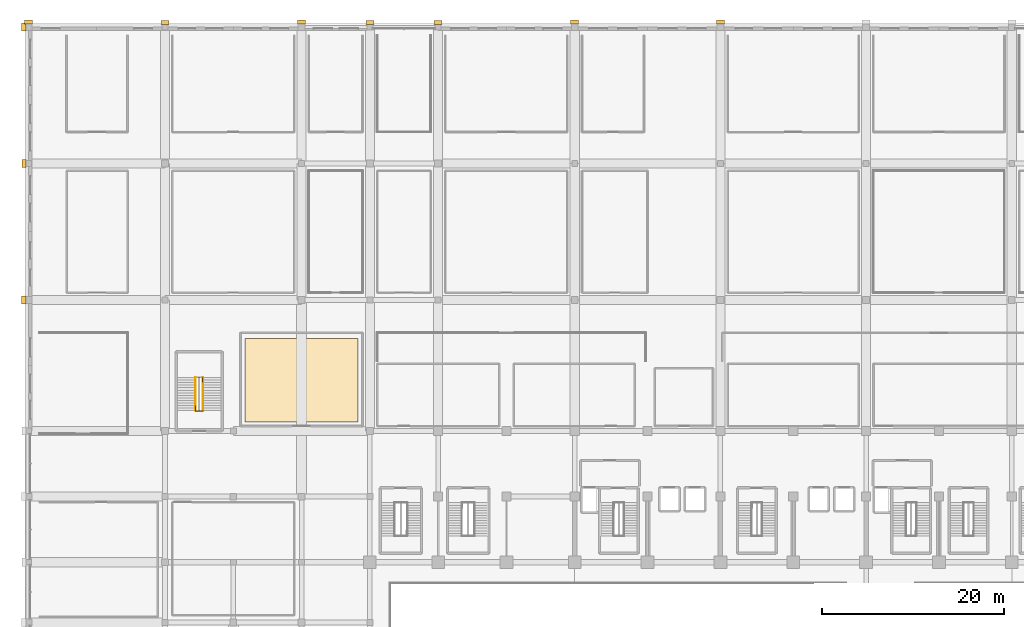
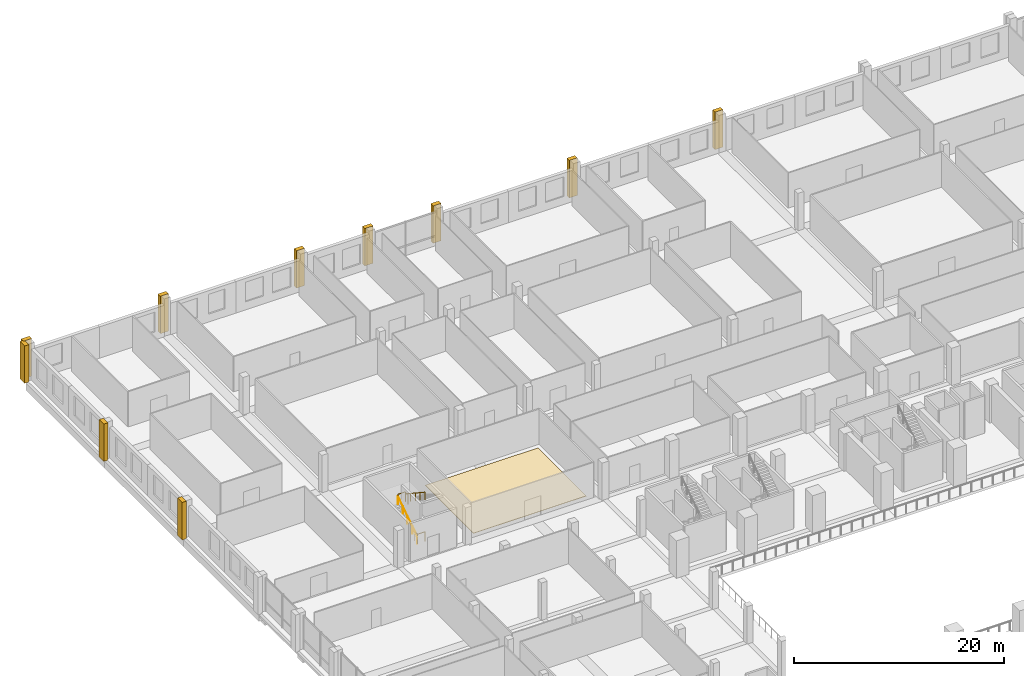
# One storey, part 60 of 64: 11 coverings, 4 railings.
"""IFC4 building model written with IfcOpenShell, lengths in metres."""

from ifc_helpers import new_model, si_unit, direction, frame, origin, origin_2d, place, context, subcontext, project, spatial, rectangle, circle, extrude, material, layer, layer_set, type_object, element, save


model = new_model("IFC4")

# Units and contexts
model_context = context("Model", 3, precision=1e-05, world=origin(), true_north=direction((0.0, 1.0)))
body_context = subcontext(model_context, "Body", "Model", "MODEL_VIEW")
ifc_project = project(units=[si_unit("LENGTHUNIT", "METRE"), si_unit("AREAUNIT", "SQUARE_METRE"), si_unit("VOLUMEUNIT", "CUBIC_METRE"), si_unit("PLANEANGLEUNIT", "RADIAN"), si_unit("MASSUNIT", "GRAM", prefix="KILO")], contexts=[model_context])

# Site, building, storey
site_placement = place(None, origin())
site = spatial("IfcSite", under=ifc_project, at=site_placement, CompositionType="ELEMENT")
building_placement = place(site_placement, origin())
building = spatial("IfcBuilding", under=site, at=building_placement, Name="Akrevak Sports Hall", CompositionType="ELEMENT")
storey_placement = place(building_placement, frame((0.0, 0.0, 4.60009765625)))
storey = spatial("IfcBuildingStorey", under=building, at=storey_placement, Name="L01", CompositionType="ELEMENT", Elevation=4.60009765625)

# Coverings
ifc_material_1 = material(Name="Sprung Hard Maple Sports Flooring", Category="wood")
ifc_layer_1 = layer(ifc_material_1, 0.044921875, Name="Sprung Hard Maple Sports Flooring")
ifc_layer_set_1 = layer_set([ifc_layer_1], Name="Sprung Hard Maple Sports Flooring")
covering_type_1 = type_object("IfcCoveringType", Name="ARC-COV-FLR-MAPLE", PredefinedType="FLOORING", material=ifc_layer_set_1)
covering_placement = place(storey_placement, frame((30.0, 75.199951171875, 0.0), z_axis=(0.0, 0.0, 1.0), x_axis=(1.0, 0.0, 0.0)))
element("IfcCovering", 1, at=covering_placement, inside=storey, type_object=covering_type_1, Name="Dance Studio 1 Sprung Flooring", PredefinedType="FLOORING", context=body_context, shape_type="SweptSolid", body=[
    extrude(rectangle(XDim=12.39990234375, YDim=9.199951171875, at=origin_2d()), origin(), (0.0, 0.0, 1.0), 0.044921875),
])
ifc_material_2 = material(Name="Limestone Ashlar", Category="stone")
ifc_layer_2 = layer(ifc_material_2, 0.47998046875, Name="Limestone Ashlar")
ifc_layer_set_2 = layer_set([ifc_layer_2], Name="Limestone Ashlar")
covering_type_2 = type_object("IfcCoveringType", Name="ARC-COV-PIL-LIM", PredefinedType="CLADDING", material=ifc_layer_set_2)
for number, where, z_axis, x_axis, name in (
    (2, (0.0, 114.52490234375, -0.000244140625), (0.0, 0.0, 1.0), (-1.0, 0.0, 0.0), "Giant-Order Limestone Pilaster L01-03-26"),
    (3, (15.0, 114.47509765625, -0.000244140625), (0.0, 0.0, 1.0), (-1.0, 0.0, 0.0), "Giant-Order Limestone Pilaster L01-03-27"),
    (4, (30.0, 114.52490234375, -0.000244140625), (0.0, 0.0, 1.0), (-1.0, 0.0, 0.0), "Giant-Order Limestone Pilaster L01-03-28"),
    (5, (37.5, 114.47509765625, -0.000244140625), (0.0, 0.0, 1.0), (-1.0, 0.0, 0.0), "Giant-Order Limestone Pilaster L01-03-29"),
    (6, (45.0, 114.47509765625, -0.000244140625), (0.0, 0.0, 1.0), (-1.0, 0.0, 0.0), "Giant-Order Limestone Pilaster L01-03-30"),
    (7, (60.0, 114.52490234375, -0.000244140625), (0.0, 0.0, 1.0), (-1.0, 0.0, 0.0), "Giant-Order Limestone Pilaster L01-03-31"),
    (8, (76.0, 114.52490234375, -0.000244140625), (0.0, 0.0, 1.0), (-1.0, 0.0, 0.0), "Giant-Order Limestone Pilaster L01-03-32"),
    (9, (-0.52490234375, 84.0, -0.000244140625), (0.0, 0.0, 1.0), (0.0, -1.0, 0.0), "Giant-Order Limestone Pilaster L01-04-48"),
    (10, (-0.47509765625, 99.0, -0.000244140625), (0.0, 0.0, 1.0), (0.0, -1.0, 0.0), "Giant-Order Limestone Pilaster L01-04-49"),
    (11, (-0.52490234375, 114.0, -0.000244140625), (0.0, 0.0, 1.0), (0.0, -1.0, 0.0), "Giant-Order Limestone Pilaster L01-04-49"),
):
    element("IfcCovering", number, at=place(storey_placement, frame(where, z_axis=z_axis, x_axis=x_axis)), inside=storey, type_object=covering_type_2, Name=name, PredefinedType="CLADDING", context=body_context, shape_type="SweptSolid", body=[
        extrude(rectangle(XDim=0.8798828125, YDim=0.4599609375, at=origin_2d()), origin(), (0.0, 0.0, 1.0), 4.35009765625),
    ])

# Railings
ifc_material_3 = material(Name="Painted Architectural Balustrade Steel", Category="steel")
ifc_layer_3 = layer(ifc_material_3, 0.06005859375, Name="Painted Architectural Balustrade Steel")
ifc_layer_set_3 = layer_set([ifc_layer_3], Name="Painted Architectural Balustrade Steel")
railing_type_1 = type_object("IfcRailingType", Name="ARC-RL-GRD-1120", PredefinedType="GUARDRAIL", material=ifc_layer_set_3)
railing_1_placement = place(storey_placement, frame((18.360107421875, 72.3701171875, 0.0)))
element("IfcRailing", 12, at=railing_1_placement, inside=storey, type_object=railing_type_1, Name="Stair Floor Landing Well Guard ST6 (L01)", PredefinedType="GUARDRAIL", context=body_context, shape_type="SweptSolid", body=[
    extrude(circle(Radius=0.02392578125, at=origin_2d()), frame((0.0, 0.0, 1.09619140625), z_axis=(0.0, -1.0, 0.0), x_axis=(1.0, 0.0, 0.0)), (0.0, 0.0, 1.0), 0.550048828125),
    extrude(circle(Radius=0.02392578125, at=origin_2d()), frame((0.0, -0.550048828125, 1.09619140625), z_axis=(1.0, 0.0, 0.0), x_axis=(0.0, 1.0, 0.0)), (0.0, 0.0, 1.0), 0.809814453125),
    extrude(circle(Radius=0.02099609375, at=origin_2d()), origin(), (0.0, 0.0, 1.0), 1.072021484375),
    extrude(circle(Radius=0.02099609375, at=origin_2d()), frame((0.0, -0.550048828125, 0.0)), (0.0, 0.0, 1.0), 1.072021484375),
    extrude(circle(Radius=0.02099609375, at=origin_2d()), frame((0.809814453125, -0.550048828125, 0.0)), (0.0, 0.0, 1.0), 1.072021484375),
])
railing_2_placement = place(storey_placement, frame((18.330078125, 75.52001953125, 2.39990234375)))
element("IfcRailing", 13, at=railing_2_placement, inside=storey, type_object=railing_type_1, Name="Stair Landing Well Guard ST6-L01-1", PredefinedType="GUARDRAIL", context=body_context, shape_type="SweptSolid", body=[
    extrude(circle(Radius=0.02392578125, at=origin_2d()), frame((0.0, 0.0, 1.09619140625), z_axis=(1.0, 0.0, 0.0), x_axis=(0.0, 1.0, 0.0)), (0.0, 0.0, 1.0), 0.809814453125),
    extrude(circle(Radius=0.02392578125, at=origin_2d()), frame((0.809814453125, 0.0, 1.09619140625), z_axis=(0.0, -1.0, 0.0), x_axis=(1.0, 0.0, 0.0)), (0.0, 0.0, 1.0), 0.52001953125),
    extrude(circle(Radius=0.02099609375, at=origin_2d()), origin(), (0.0, 0.0, 1.0), 1.072021484375),
    extrude(circle(Radius=0.02099609375, at=origin_2d()), frame((0.809814453125, 0.0, 0.0)), (0.0, 0.0, 1.0), 1.072021484375),
    extrude(circle(Radius=0.02099609375, at=origin_2d()), frame((0.809814453125, -0.52001953125, 0.0)), (0.0, 0.0, 1.0), 1.072021484375),
])
ifc_material_4 = material(Name="Brushed Stainless Steel 304", Category="steel")
ifc_layer_4 = layer(ifc_material_4, 0.050048828125, Name="Brushed Stainless Steel 304")
ifc_layer_set_4 = layer_set([ifc_layer_4], Name="Brushed Stainless Steel 304")
railing_type_2 = type_object("IfcRailingType", Name="ARC-RL-HND-900", PredefinedType="HANDRAIL", material=ifc_layer_set_4)
railing_3_placement = place(storey_placement, frame((18.330078125, 71.85009765625, 0.0)))
element("IfcRailing", 14, at=railing_3_placement, inside=storey, type_object=railing_type_2, Name="Stair Handrail ST6-L01-F1", PredefinedType="HANDRAIL", context=body_context, shape_type="SweptSolid", body=[
    extrude(circle(Radius=0.02392578125, at=origin_2d()), frame((0.0, 0.0, 0.8759765625), z_axis=(0.0, 0.834865213223, 0.550454426587), x_axis=(-1.0, 0.0, 0.0)), (0.0, 0.0, 1.0), 4.35986328125),
    extrude(circle(Radius=0.02099609375, at=origin_2d()), origin(), (0.0, 0.0, 1.0), 0.851806640625),
    extrude(circle(Radius=0.02099609375, at=origin_2d()), frame((0.0, 0.909912109375, 0.60009765625)), (0.0, 0.0, 1.0), 0.851806640625),
    extrude(circle(Radius=0.02099609375, at=origin_2d()), frame((0.0, 1.81982421875, 1.199951171875)), (0.0, 0.0, 1.0), 0.851806640625),
    extrude(circle(Radius=0.02099609375, at=origin_2d()), frame((0.0, 2.72998046875, 1.7998046875)), (0.0, 0.0, 1.0), 0.851806640625),
    extrude(circle(Radius=0.02099609375, at=origin_2d()), frame((0.0, 3.639892578125, 2.39990234375)), (0.0, 0.0, 1.0), 0.851806640625),
])
railing_4_placement = place(storey_placement, frame((19.169921875, 75.489990234375, 2.39990234375)))
element("IfcRailing", 15, at=railing_4_placement, inside=storey, type_object=railing_type_2, Name="Stair Handrail ST6-L01-F2", PredefinedType="HANDRAIL", context=body_context, shape_type="SweptSolid", body=[
    extrude(circle(Radius=0.02392578125, at=origin_2d()), frame((0.0, 0.0, 0.8759765625), z_axis=(0.0, -0.834865213223, 0.550454426587), x_axis=(1.0, 0.0, 0.0)), (0.0, 0.0, 1.0), 4.35986328125),
    extrude(circle(Radius=0.02099609375, at=origin_2d()), origin(), (0.0, 0.0, 1.0), 0.851806640625),
    extrude(circle(Radius=0.02099609375, at=origin_2d()), frame((0.0, -0.909912109375, 0.60009765625)), (0.0, 0.0, 1.0), 0.851806640625),
    extrude(circle(Radius=0.02099609375, at=origin_2d()), frame((0.0, -1.81982421875, 1.199951171875)), (0.0, 0.0, 1.0), 0.851806640625),
    extrude(circle(Radius=0.02099609375, at=origin_2d()), frame((0.0, -2.72998046875, 1.7998046875)), (0.0, 0.0, 1.0), 0.851806640625),
    extrude(circle(Radius=0.02099609375, at=origin_2d()), frame((0.0, -3.639892578125, 2.39990234375)), (0.0, 0.0, 1.0), 0.851806640625),
])

save(model, "model.ifc")
